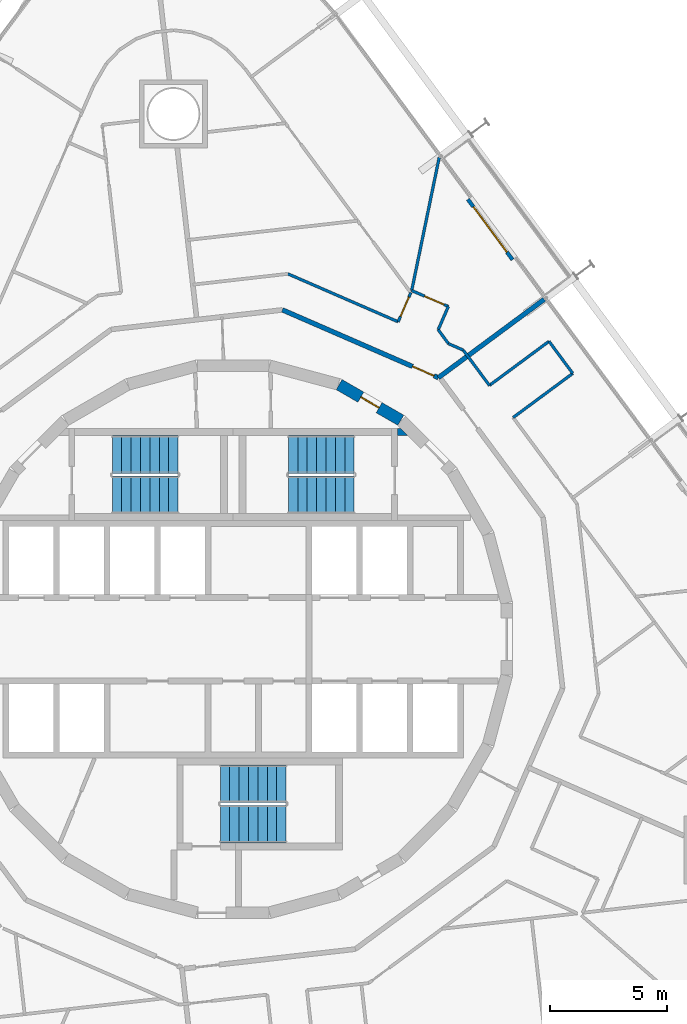
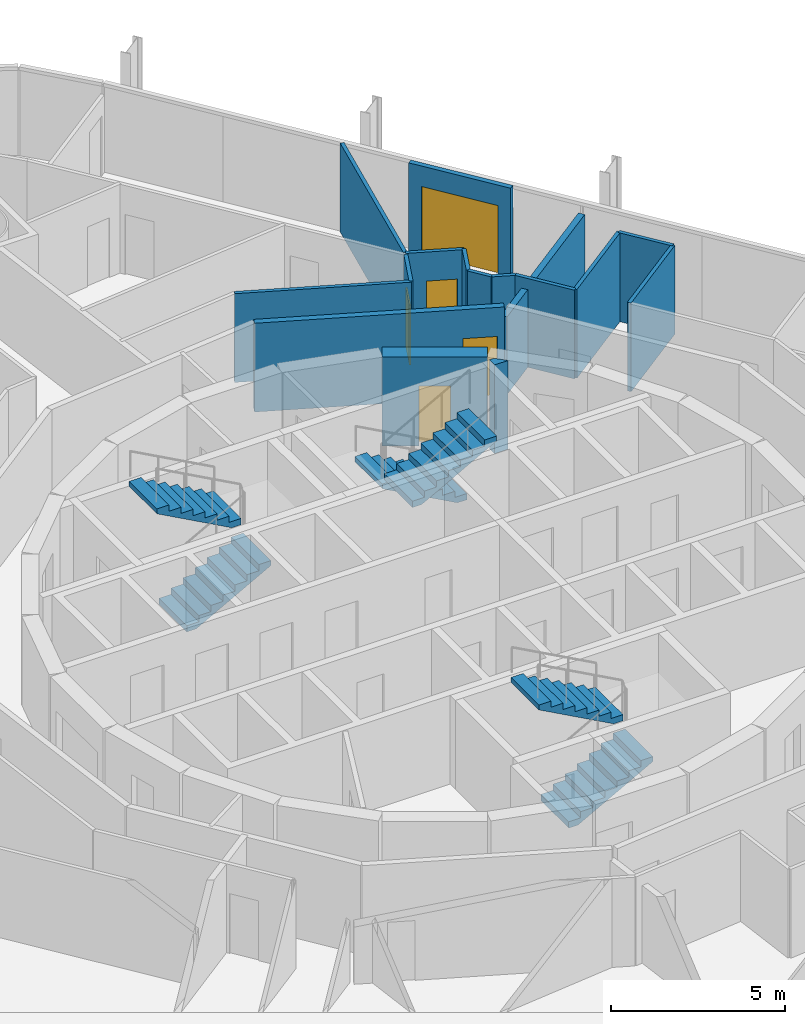
# One storey, part 22 of 23: 16 walls, 6 stair flights, 5 doors, 5 openings, 3 elements without a shape of their own.
"""IFC4 building model written with IfcOpenShell, lengths in metres."""

from ifc_helpers import new_model, si_unit, direction, frame, frame_2d, origin, place, context, subcontext, project, spatial, polyline, rectangle, outline, extrude, material, layer, layer_set, type_object, element, fill, aggregate, save


model = new_model("IFC4")

# Units and contexts
model_context = context("Model", 3, precision=1e-05, world=origin(), true_north=direction((0.0, 1.0)))
body_context = subcontext(model_context, "Body", "Model", "MODEL_VIEW")
ifc_project = project(units=[si_unit("LENGTHUNIT", "METRE"), si_unit("AREAUNIT", "SQUARE_METRE"), si_unit("VOLUMEUNIT", "CUBIC_METRE"), si_unit("PLANEANGLEUNIT", "RADIAN"), si_unit("MASSUNIT", "GRAM", prefix="KILO")], contexts=[model_context])

# Site, building, storey
site_placement = place(None, origin())
site = spatial("IfcSite", under=ifc_project, at=site_placement, CompositionType="ELEMENT")
building_placement = place(site_placement, origin())
building = spatial("IfcBuilding", under=site, at=building_placement, Name="Spindle Arch Residences", CompositionType="ELEMENT")
storey_placement = place(building_placement, frame((0.0, 0.0, 83.699951171875)))
storey = spatial("IfcBuildingStorey", under=building, at=storey_placement, Name="L19", CompositionType="ELEMENT", Elevation=83.699951171875)

# Wall, opening, door
ifc_material_1 = material(Name="Concrete C50/60", Category="concrete")
ifc_layer_1 = layer(ifc_material_1, 0.5)
ifc_layer_set_1 = layer_set([ifc_layer_1], Name="Core outline wall 500")
wall_type_1 = type_object("IfcWallType", Name="Core outline wall 500", PredefinedType="SHEAR", material=ifc_layer_set_1)
wall_1_placement = place(storey_placement, frame((7.13671875, 9.32861328125, 0.0), z_axis=(0.0, 0.0, 1.0), x_axis=(-0.865975092491, 0.500087131594, 0.0)))
wall_1 = element("IfcWall", 1, at=wall_1_placement, inside=storey, type_object=wall_type_1, Name="Core outline wall 10", PredefinedType="SHEAR", context=body_context, shape_type="SweptSolid", body=[
    extrude(rectangle(XDim=3.03271484375, YDim=0.5, at=frame_2d((1.516357421875, 0.0))), origin(), (0.0, 0.0, 1.0), 3.1201171875),
])
opening_1_placement = place(wall_1_placement, frame((1.06640625, 0.0, 0.0)))
opening_1 = element("IfcOpeningElement", 2, at=opening_1_placement, cuts=wall_1, Name="Opening R2A0-WD11", PredefinedType="OPENING", context=body_context, shape_type="SweptSolid", body=[
    extrude(rectangle(XDim=0.89990234375, YDim=2.10009765625, at=frame_2d((0.449951171875, 1.050048828125))), frame((0.0, 0.260009765625, 0.0), z_axis=(0.0, -1.0, 0.0), x_axis=(1.0, 0.0, 0.0)), (0.0, 0.0, 1.0), 0.52001953125),
])
ifc_material_2 = material(Name="Steel, fire-resisting door", Category="steel")
door_type_1 = type_object("IfcDoorType", Name="Service room door 900x2100", OperationType="SINGLE_SWING_LEFT", PredefinedType="DOOR", material=ifc_material_2)
door_1_placement = place(opening_1_placement, origin())
door_1 = element("IfcDoor", 3, at=door_1_placement, inside=storey, type_object=door_type_1, Name="Service room door R2A0-WD11", OperationType="SINGLE_SWING_RIGHT", OverallHeight=2.10009765625, OverallWidth=0.89990234375, PredefinedType="DOOR", context=body_context, shape_type="SweptSolid", body=[
    extrude(rectangle(XDim=0.89990234375, YDim=2.10009765625, at=frame_2d((0.449951171875, 1.050048828125))), frame((0.0, 0.02490234375, 0.0), z_axis=(0.0, -1.0, 0.0), x_axis=(1.0, 0.0, 0.0)), (0.0, 0.0, 1.0), 0.050048828125),
])
fill(opening_1, door_1)

ifc_material_3 = material(Name="Calcium silicate block, plastered")
ifc_layer_2 = layer(ifc_material_3, 0.199951171875)
ifc_layer_set_2 = layer_set([ifc_layer_2], Name="Corridor wall 200")
wall_type_2 = type_object("IfcWallType", Name="Corridor wall 200", PredefinedType="STANDARD", material=ifc_layer_set_2)
wall_2_placement = place(storey_placement, frame((8.735595703125, 11.140625, 0.0), z_axis=(0.0, 0.0, 1.0), x_axis=(-0.917051290697, 0.398769269416, 0.0)))
wall_2 = element("IfcWall", 4, at=wall_2_placement, inside=storey, type_object=wall_type_2, Name="Corridor wall R2A0-W007", PredefinedType="STANDARD", context=body_context, shape_type="SweptSolid", body=[
    extrude(rectangle(XDim=7.23974609375, YDim=0.199951171875, at=frame_2d((3.619873046875, 0.0))), origin(), (0.0, 0.0, 1.0), 3.1201171875),
])
opening_2_placement = place(wall_2_placement, frame((0.199951171875, 0.0, 0.0)))
opening_2 = element("IfcOpeningElement", 5, at=opening_2_placement, cuts=wall_2, Name="Opening R2A0-FD02", PredefinedType="OPENING", context=body_context, shape_type="SweptSolid", body=[
    extrude(rectangle(XDim=1.0, YDim=2.10009765625, at=frame_2d((0.5, 1.050048828125))), frame((0.0, 0.10986328125, 0.0), z_axis=(0.0, -1.0, 0.0), x_axis=(1.0, 0.0, 0.0)), (0.0, 0.0, 1.0), 0.219970703125),
])
ifc_material_4 = material(Name="Timber, fire-resisting door set", Category="wood")
door_type_2 = type_object("IfcDoorType", Name="Flat entrance door 1000x2100", OperationType="NOTDEFINED", PredefinedType="DOOR", material=ifc_material_4)
door_2_placement = place(opening_2_placement, origin())
door_2 = element("IfcDoor", 6, at=door_2_placement, inside=storey, type_object=door_type_2, Name="Flat entrance door R2A0-FD02", OperationType="SINGLE_SWING_RIGHT", OverallHeight=2.10009765625, OverallWidth=1.0, PredefinedType="DOOR", context=body_context, shape_type="SweptSolid", body=[
    extrude(rectangle(XDim=1.0, YDim=2.10009765625, at=frame_2d((0.5, 1.050048828125))), frame((0.0, 0.02490234375, 0.0), z_axis=(0.0, -1.0, 0.0), x_axis=(1.0, 0.0, 0.0)), (0.0, 0.0, 1.0), 0.050048828125),
])
fill(opening_2, door_2)

# Walls
ifc_material_5 = material(Name="Plasterboard on steel studs", Category="steel")
ifc_layer_3 = layer(ifc_material_5, 0.1201171875)
ifc_layer_set_3 = layer_set([ifc_layer_3], Name="Flat partition 120")
wall_type_3 = type_object("IfcWallType", Name="Flat partition 120", PredefinedType="PARTITIONING", material=ifc_layer_set_3)
wall_3_placement = place(storey_placement, frame((11.9208984375, 9.44384765625, 0.0), z_axis=(0.0, 0.0, 1.0), x_axis=(0.803843378098, 0.594841006898, 0.0)))
element("IfcWall", 7, at=wall_3_placement, inside=storey, type_object=wall_type_3, Name="Flat partition R2A0-W030", PredefinedType="PARTITIONING", context=body_context, shape_type="SweptSolid", body=[
    extrude(rectangle(XDim=3.157470703125, YDim=0.1201171875, at=frame_2d((1.57861328125, 0.0))), origin(), (0.0, 0.0, 1.0), 3.1201171875),
])
wall_4_placement = place(storey_placement, frame((14.458984375, 11.322021484375, 0.0), z_axis=(0.0, 0.0, 1.0), x_axis=(-0.594863421241, 0.803826791087, 0.0)))
element("IfcWall", 8, at=wall_4_placement, inside=storey, type_object=wall_type_3, Name="Flat partition R2A0-W031", PredefinedType="PARTITIONING", context=body_context, shape_type="SweptSolid", body=[
    extrude(rectangle(XDim=1.699951171875, YDim=0.1201171875, at=frame_2d((0.85009765625, 0.0))), origin(), (0.0, 0.0, 1.0), 3.1201171875),
])
wall_5_placement = place(storey_placement, frame((13.44775390625, 12.6884765625, 0.0), z_axis=(0.0, 0.0, 1.0), x_axis=(-0.803843378098, -0.594841006898, 0.0)))
element("IfcWall", 9, at=wall_5_placement, inside=storey, type_object=wall_type_3, Name="Flat partition R2A0-W032", PredefinedType="PARTITIONING", context=body_context, shape_type="SweptSolid", body=[
    extrude(rectangle(XDim=3.157470703125, YDim=0.1201171875, at=frame_2d((1.57861328125, 0.0))), origin(), (0.0, 0.0, 1.0), 3.1201171875),
])
wall_6_placement = place(storey_placement, frame((10.90966796875, 10.810302734375, 0.0), z_axis=(0.0, 0.0, 1.0), x_axis=(-0.59489693125, 0.803801991282, 0.0)))
element("IfcWall", 10, at=wall_6_placement, inside=storey, type_object=wall_type_3, Name="Flat partition R2A0-W033", PredefinedType="PARTITIONING", context=body_context, shape_type="SweptSolid", body=[
    extrude(rectangle(XDim=1.872314453125, YDim=0.1201171875, at=frame_2d((0.93603515625, 0.0))), origin(), (0.0, 0.0, 1.0), 3.1201171875),
])
wall_7_placement = place(storey_placement, frame((9.7958984375, 12.315185546875, 0.0), z_axis=(0.0, 0.0, 1.0), x_axis=(-0.916973672273, 0.398947721335, 0.0)))
element("IfcWall", 11, at=wall_7_placement, inside=storey, type_object=wall_type_3, Name="Flat partition R2A0-W047", PredefinedType="PARTITIONING", context=body_context, shape_type="SweptSolid", body=[
    extrude(rectangle(XDim=0.684814453125, YDim=0.1201171875, at=frame_2d((0.34228515625, 0.0))), origin(), (0.0, 0.0, 1.0), 3.1201171875),
])
wall_8_placement = place(storey_placement, frame((9.16796875, 12.58837890625, 0.0), z_axis=(0.0, 0.0, 1.0), x_axis=(-0.595069416139, 0.803674305908, 0.0)))
element("IfcWall", 12, at=wall_8_placement, inside=storey, type_object=wall_type_3, Name="Flat partition R2A0-W048", PredefinedType="PARTITIONING", context=body_context, shape_type="SweptSolid", body=[
    extrude(rectangle(XDim=0.738525390625, YDim=0.1201171875, at=frame_2d((0.369140625, 0.0))), origin(), (0.0, 0.0, 1.0), 3.1201171875),
])
wall_9_placement = place(storey_placement, frame((8.728515625, 13.181884765625, 0.0), z_axis=(0.0, 0.0, 1.0), x_axis=(0.398792168027, 0.917041333158, 0.0)))
element("IfcWall", 13, at=wall_9_placement, inside=storey, type_object=wall_type_3, Name="Flat partition R2A0-W049", PredefinedType="PARTITIONING", context=body_context, shape_type="SweptSolid", body=[
    extrude(rectangle(XDim=1.0810546875, YDim=0.1201171875, at=frame_2d((0.54052734375, 0.0))), origin(), (0.0, 0.0, 1.0), 3.1201171875),
])

# Wall, opening, door
wall_10_placement = place(storey_placement, frame((9.15966796875, 14.17333984375, 0.0), z_axis=(0.0, 0.0, 1.0), x_axis=(-0.917044941137, 0.398783871208, 0.0)))
wall_10 = element("IfcWall", 14, at=wall_10_placement, inside=storey, type_object=wall_type_3, Name="Flat partition R2A0-W050", PredefinedType="PARTITIONING", context=body_context, shape_type="SweptSolid", body=[
    extrude(rectangle(XDim=1.7001953125, YDim=0.1201171875, at=frame_2d((0.85009765625, 0.0))), origin(), (0.0, 0.0, 1.0), 3.1201171875),
])
opening_3_placement = place(wall_10_placement, frame((0.199951171875, 0.0, 0.0)))
opening_3 = element("IfcOpeningElement", 15, at=opening_3_placement, cuts=wall_10, Name="Opening R2A0-ID06", PredefinedType="OPENING", context=body_context, shape_type="SweptSolid", body=[
    extrude(rectangle(XDim=0.89990234375, YDim=2.10009765625, at=frame_2d((0.449951171875, 1.050048828125))), frame((0.0, 0.070068359375, 0.0), z_axis=(0.0, -1.0, 0.0), x_axis=(1.0, 0.0, 0.0)), (0.0, 0.0, 1.0), 0.14013671875),
])
ifc_material_6 = material(Name="Timber door set", Category="wood")
door_type_3 = type_object("IfcDoorType", Name="Room door 900x2100", OperationType="NOTDEFINED", PredefinedType="DOOR", material=ifc_material_6)
door_3_placement = place(opening_3_placement, origin())
door_3 = element("IfcDoor", 16, at=door_3_placement, inside=storey, type_object=door_type_3, Name="Room door R2A0-ID06", OperationType="SINGLE_SWING_RIGHT", OverallHeight=2.10009765625, OverallWidth=0.89990234375, PredefinedType="DOOR", context=body_context, shape_type="SweptSolid", body=[
    extrude(rectangle(XDim=0.89990234375, YDim=2.10009765625, at=frame_2d((0.449951171875, 1.050048828125))), frame((0.0, 0.02490234375, 0.0), z_axis=(0.0, -1.0, 0.0), x_axis=(1.0, 0.0, 0.0)), (0.0, 0.0, 1.0), 0.050048828125),
])
fill(opening_3, door_3)

wall_11_placement = place(storey_placement, frame((7.56103515625, 14.760009765625, 0.0), z_axis=(0.0, 0.0, 1.0), x_axis=(-0.398712893488, -0.917075803064, 0.0)))
wall_11 = element("IfcWall", 17, at=wall_11_placement, inside=storey, type_object=wall_type_3, Name="Flat partition R2A0-W051", PredefinedType="PARTITIONING", context=body_context, shape_type="SweptSolid", body=[
    extrude(rectangle(XDim=1.350830078125, YDim=0.1201171875, at=frame_2d((0.67529296875, 0.0))), origin(), (0.0, 0.0, 1.0), 3.1201171875),
])
opening_4_placement = place(wall_11_placement, frame((0.199951171875, 0.0, 0.0)))
opening_4 = element("IfcOpeningElement", 18, at=opening_4_placement, cuts=wall_11, Name="Opening R2A0-ID07", PredefinedType="OPENING", context=body_context, shape_type="SweptSolid", body=[
    extrude(rectangle(XDim=0.89990234375, YDim=2.10009765625, at=frame_2d((0.449951171875, 1.050048828125))), frame((0.0, 0.070068359375, 0.0), z_axis=(0.0, -1.0, 0.0), x_axis=(1.0, 0.0, 0.0)), (0.0, 0.0, 1.0), 0.14013671875),
])
door_4_placement = place(opening_4_placement, origin())
door_4 = element("IfcDoor", 19, at=door_4_placement, inside=storey, type_object=door_type_3, Name="Room door R2A0-ID07", OperationType="SINGLE_SWING_LEFT", OverallHeight=2.10009765625, OverallWidth=0.89990234375, PredefinedType="DOOR", context=body_context, shape_type="SweptSolid", body=[
    extrude(rectangle(XDim=0.89990234375, YDim=2.10009765625, at=frame_2d((0.449951171875, 1.050048828125))), frame((0.0, 0.02490234375, 0.0), z_axis=(0.0, -1.0, 0.0), x_axis=(1.0, 0.0, 0.0)), (0.0, 0.0, 1.0), 0.050048828125),
])
fill(opening_4, door_4)

# Walls
wall_12_placement = place(storey_placement, frame((7.0224609375, 13.521240234375, 0.0), z_axis=(0.0, 0.0, 1.0), x_axis=(-0.91706854044, 0.398729597767, 0.0)))
element("IfcWall", 20, at=wall_12_placement, inside=storey, type_object=wall_type_3, Name="Flat partition R2A0-W052", PredefinedType="PARTITIONING", context=body_context, shape_type="SweptSolid", body=[
    extrude(rectangle(XDim=5.121337890625, YDim=0.1201171875, at=frame_2d((2.560546875, 0.0))), origin(), (0.0, 0.0, 1.0), 3.1201171875),
])
wall_13_placement = place(storey_placement, frame((8.771728515625, 20.52099609375, 0.0), z_axis=(0.0, 0.0, 1.0), x_axis=(-0.202291839423, -0.979325283909, 0.0)))
element("IfcWall", 21, at=wall_13_placement, inside=storey, type_object=wall_type_3, Name="Flat partition R2A0-W054", PredefinedType="PARTITIONING", context=body_context, shape_type="SweptSolid", body=[
    extrude(rectangle(XDim=5.789306640625, YDim=0.1201171875, at=frame_2d((2.89453125, 0.0))), origin(), (0.0, 0.0, 1.0), 3.1201171875),
])
ifc_material_7 = material(Name="Calcium silicate block, plastered")
ifc_layer_4 = layer(ifc_material_7, 0.199951171875)
ifc_layer_set_4 = layer_set([ifc_layer_4], Name="Flat party wall 200 under beam 2730")
wall_type_4 = type_object("IfcWallType", Name="Flat party wall 200 under beam 2730", PredefinedType="STANDARD", material=ifc_layer_set_4)
wall_14_placement = place(storey_placement, frame((13.244140625, 14.476806640625, 0.0), z_axis=(0.0, 0.0, 1.0), x_axis=(-0.803853971109, -0.594826691677, 0.0)))
element("IfcWall", 22, at=wall_14_placement, inside=storey, type_object=wall_type_4, Name="Flat party wall R2A0-W016", PredefinedType="STANDARD", context=body_context, shape_type="SweptSolid", body=[
    extrude(rectangle(XDim=5.608642578125, YDim=0.199951171875, at=frame_2d((2.80419921875, 0.0))), origin(), (0.0, 0.0, 1.0), 2.72998046875),
])

# Wall, opening, door
ifc_material_8 = material(Name="Non-combustible mineral wool insulated aluminium faced external wall (K0)", Category="aluminium")
ifc_layer_5 = layer(ifc_material_8, 0.159912109375)
ifc_layer_set_5 = layer_set([ifc_layer_5], Name="Insulated external wall panel 160")
wall_type_5 = type_object("IfcWallType", Name="Insulated external wall panel 160", PredefinedType="STANDARD", material=ifc_layer_set_5)
wall_15_placement = place(storey_placement, frame((11.895263671875, 16.1650390625, 0.0), z_axis=(0.0, 0.0, 1.0), x_axis=(-0.594774973163, 0.803892238611, 0.0)))
wall_15 = element("IfcWall", 23, at=wall_15_placement, inside=storey, type_object=wall_type_5, Name="External wall L19 bay 9", PredefinedType="STANDARD", context=body_context, shape_type="SweptSolid", body=[
    extrude(rectangle(XDim=3.199951171875, YDim=0.159912109375, at=frame_2d((1.60009765625, 0.0))), origin(), (0.0, 0.0, 1.0), 3.1201171875),
])
opening_5_placement = place(wall_15_placement, frame((0.39990234375, 0.0, 0.0)))
opening_5 = element("IfcOpeningElement", 24, at=opening_5_placement, cuts=wall_15, Name="Opening BD09", PredefinedType="OPENING", context=body_context, shape_type="SweptSolid", body=[
    extrude(rectangle(XDim=2.39990234375, YDim=2.39990234375, at=frame_2d((1.199951171875, 1.199951171875))), frame((0.0, 0.08984375, 0.0), z_axis=(0.0, -1.0, 0.0), x_axis=(1.0, 0.0, 0.0)), (0.0, 0.0, 1.0), 0.179931640625),
])
ifc_material_9 = material(Name="Bronze aluminium frame, tinted double glazing", Category="aluminium")
door_type_4 = type_object("IfcDoorType", Name="Sliding glazed balcony door 2400x2400", OperationType="DOUBLE_DOOR_SLIDING", PredefinedType="DOOR", material=ifc_material_9)
door_5_placement = place(opening_5_placement, origin())
door_5 = element("IfcDoor", 25, at=door_5_placement, inside=storey, type_object=door_type_4, Name="Balcony door BD09", OperationType="DOUBLE_DOOR_SLIDING", OverallHeight=2.39990234375, OverallWidth=2.39990234375, PredefinedType="DOOR", context=body_context, shape_type="SweptSolid", body=[
    extrude(rectangle(XDim=2.39990234375, YDim=2.39990234375, at=frame_2d((1.199951171875, 1.199951171875))), frame((0.0, 0.02490234375, 0.0), z_axis=(0.0, -1.0, 0.0), x_axis=(1.0, 0.0, 0.0)), (0.0, 0.0, 1.0), 0.050048828125),
])
fill(opening_5, door_5)

# Wall
ifc_material_10 = material(Name="Concrete C40/50", Category="concrete")
wall_type_6 = type_object("IfcWallType", Name="Stair airlock wall profile", PredefinedType="SHEAR", material=ifc_material_10)
wall_16_placement = place(storey_placement, origin())
element("IfcWall", 26, at=wall_16_placement, inside=storey, type_object=wall_type_6, Name="Stair ST-1 airlock wall N", PredefinedType="SHEAR", context=body_context, shape_type="SweptSolid", body=[
    extrude(outline(polyline([(7.4482421875, 8.669921875), (7.0, 8.669921875), (7.0, 8.969970703125), (7.148193359375, 8.969970703125), (7.4482421875, 8.669921875)])), origin(), (0.0, 0.0, 1.0), 3.1201171875),
])

# Stair, stair flights
ifc_material_11 = material(Name="Concrete C50/60", Category="concrete")
stair_type = type_object("IfcStairType", Name="Exit stair 16 risers", PredefinedType="HALF_TURN_STAIR", material=ifc_material_11)
stair_1_placement = place(storey_placement, origin())
stair_1 = element("IfcStair", 27, at=stair_1_placement, inside=storey, type_object=stair_type, Name="L19 Exit stair ST1", PredefinedType="HALF_TURN_STAIR")
ifc_material_12 = material(Name="Concrete C50/60", Category="concrete")
stair_flight_type = type_object("IfcStairFlightType", Name="Exit stair flight", PredefinedType="STRAIGHT", material=ifc_material_12)
stair_flight_1_placement = place(storey_placement, frame((5.14990234375, 7.8701171875, 0.0), z_axis=(0.0, 0.0, 1.0), x_axis=(-1.0, 0.0, 0.0)))
stair_flight_1 = element("IfcStairFlight", 28, at=stair_flight_1_placement, type_object=stair_flight_type, Name="ST1 flight 1", NumberOfRisers=8, NumberOfTreads=7, PredefinedType="STRAIGHT", RiserHeight=0.21875, TreadLength=0.4, context=body_context, shape_type="SweptSolid", body=[
    extrude(outline(polyline([(0.0, 0.0), (0.0, 0.21875), (0.39990234375, 0.21875), (0.39990234375, 0.4375), (0.800048828125, 0.4375), (0.800048828125, 0.65625), (1.199951171875, 0.65625), (1.199951171875, 0.875), (1.60009765625, 0.875), (1.60009765625, 1.09375), (2.0, 1.09375), (2.0, 1.3125), (2.39990234375, 1.3125), (2.39990234375, 1.53125), (2.800048828125, 1.53125), (2.800048828125, 1.75), (2.800048828125, 1.3603515625), (0.3125, 0.0), (0.0, 0.0)])), frame((0.0, 0.800048828125, 0.0), z_axis=(0.0, -1.0, 0.0), x_axis=(1.0, 0.0, 0.0)), (0.0, 0.0, 1.0), 1.60009765625),
])
stair_flight_2_placement = place(storey_placement, frame((2.35009765625, 6.14990234375, 1.75), z_axis=(0.0, 0.0, 1.0), x_axis=(1.0, 0.0, 0.0)))
stair_flight_2 = element("IfcStairFlight", 29, at=stair_flight_2_placement, type_object=stair_flight_type, Name="ST1 flight 2", NumberOfRisers=8, NumberOfTreads=7, PredefinedType="STRAIGHT", RiserHeight=0.21875, TreadLength=0.4, context=body_context, shape_type="SweptSolid", body=[
    extrude(outline(polyline([(0.0, 0.0), (0.0, 0.21875), (0.39990234375, 0.21875), (0.39990234375, 0.4375), (0.800048828125, 0.4375), (0.800048828125, 0.65625), (1.199951171875, 0.65625), (1.199951171875, 0.875), (1.60009765625, 0.875), (1.60009765625, 1.09375), (2.0, 1.09375), (2.0, 1.3125), (2.39990234375, 1.3125), (2.39990234375, 1.53125), (2.800048828125, 1.53125), (2.800048828125, 1.75), (2.800048828125, 1.3603515625), (0.3125, 0.0), (0.0, 0.0)])), frame((0.0, 0.800048828125, 0.0), z_axis=(0.0, -1.0, 0.0), x_axis=(1.0, 0.0, 0.0)), (0.0, 0.0, 1.0), 1.60009765625),
])
aggregate(stair_1, [stair_flight_1, stair_flight_2])

stair_2_placement = place(storey_placement, origin())
stair_2 = element("IfcStair", 30, at=stair_2_placement, inside=storey, type_object=stair_type, Name="L19 Exit stair ST2", PredefinedType="HALF_TURN_STAIR")
stair_flight_3_placement = place(storey_placement, frame((-5.14990234375, 6.14990234375, 0.0), z_axis=(0.0, 0.0, 1.0), x_axis=(1.0, 0.0, 0.0)))
stair_flight_3 = element("IfcStairFlight", 31, at=stair_flight_3_placement, type_object=stair_flight_type, Name="ST2 flight 1", NumberOfRisers=8, NumberOfTreads=7, PredefinedType="STRAIGHT", RiserHeight=0.21875, TreadLength=0.4, context=body_context, shape_type="SweptSolid", body=[
    extrude(outline(polyline([(0.0, 0.0), (0.0, 0.21875), (0.39990234375, 0.21875), (0.39990234375, 0.4375), (0.800048828125, 0.4375), (0.800048828125, 0.65625), (1.199951171875, 0.65625), (1.199951171875, 0.875), (1.60009765625, 0.875), (1.60009765625, 1.09375), (2.0, 1.09375), (2.0, 1.3125), (2.39990234375, 1.3125), (2.39990234375, 1.53125), (2.800048828125, 1.53125), (2.800048828125, 1.75), (2.800048828125, 1.3603515625), (0.3125, 0.0), (0.0, 0.0)])), frame((0.0, 0.800048828125, 0.0), z_axis=(0.0, -1.0, 0.0), x_axis=(1.0, 0.0, 0.0)), (0.0, 0.0, 1.0), 1.60009765625),
])
stair_flight_4_placement = place(storey_placement, frame((-2.35009765625, 7.8701171875, 1.75), z_axis=(0.0, 0.0, 1.0), x_axis=(-1.0, 0.0, 0.0)))
stair_flight_4 = element("IfcStairFlight", 32, at=stair_flight_4_placement, type_object=stair_flight_type, Name="ST2 flight 2", NumberOfRisers=8, NumberOfTreads=7, PredefinedType="STRAIGHT", RiserHeight=0.21875, TreadLength=0.4, context=body_context, shape_type="SweptSolid", body=[
    extrude(outline(polyline([(0.0, 0.0), (0.0, 0.21875), (0.39990234375, 0.21875), (0.39990234375, 0.4375), (0.800048828125, 0.4375), (0.800048828125, 0.65625), (1.199951171875, 0.65625), (1.199951171875, 0.875), (1.60009765625, 0.875), (1.60009765625, 1.09375), (2.0, 1.09375), (2.0, 1.3125), (2.39990234375, 1.3125), (2.39990234375, 1.53125), (2.800048828125, 1.53125), (2.800048828125, 1.75), (2.800048828125, 1.3603515625), (0.3125, 0.0), (0.0, 0.0)])), frame((0.0, 0.800048828125, 0.0), z_axis=(0.0, -1.0, 0.0), x_axis=(1.0, 0.0, 0.0)), (0.0, 0.0, 1.0), 1.60009765625),
])
aggregate(stair_2, [stair_flight_3, stair_flight_4])

stair_3_placement = place(storey_placement, origin())
stair_3 = element("IfcStair", 33, at=stair_3_placement, inside=storey, type_object=stair_type, Name="L19 Exit stair ST3", PredefinedType="HALF_TURN_STAIR")
stair_flight_5_placement = place(storey_placement, frame((-0.550048828125, -7.8701171875, 0.0), z_axis=(0.0, 0.0, 1.0), x_axis=(1.0, 0.0, 0.0)))
stair_flight_5 = element("IfcStairFlight", 34, at=stair_flight_5_placement, type_object=stair_flight_type, Name="ST3 flight 1", NumberOfRisers=8, NumberOfTreads=7, PredefinedType="STRAIGHT", RiserHeight=0.21875, TreadLength=0.4, context=body_context, shape_type="SweptSolid", body=[
    extrude(outline(polyline([(0.0, 0.0), (0.0, 0.21875), (0.39990234375, 0.21875), (0.39990234375, 0.4375), (0.800048828125, 0.4375), (0.800048828125, 0.65625), (1.199951171875, 0.65625), (1.199951171875, 0.875), (1.60009765625, 0.875), (1.60009765625, 1.09375), (2.0, 1.09375), (2.0, 1.3125), (2.39990234375, 1.3125), (2.39990234375, 1.53125), (2.800048828125, 1.53125), (2.800048828125, 1.75), (2.800048828125, 1.3603515625), (0.3125, 0.0), (0.0, 0.0)])), frame((0.0, 0.800048828125, 0.0), z_axis=(0.0, -1.0, 0.0), x_axis=(1.0, 0.0, 0.0)), (0.0, 0.0, 1.0), 1.60009765625),
])
stair_flight_6_placement = place(storey_placement, frame((2.25, -6.14990234375, 1.75), z_axis=(0.0, 0.0, 1.0), x_axis=(-1.0, 0.0, 0.0)))
stair_flight_6 = element("IfcStairFlight", 35, at=stair_flight_6_placement, type_object=stair_flight_type, Name="ST3 flight 2", NumberOfRisers=8, NumberOfTreads=7, PredefinedType="STRAIGHT", RiserHeight=0.21875, TreadLength=0.4, context=body_context, shape_type="SweptSolid", body=[
    extrude(outline(polyline([(0.0, 0.0), (0.0, 0.21875), (0.39990234375, 0.21875), (0.39990234375, 0.4375), (0.800048828125, 0.4375), (0.800048828125, 0.65625), (1.199951171875, 0.65625), (1.199951171875, 0.875), (1.60009765625, 0.875), (1.60009765625, 1.09375), (2.0, 1.09375), (2.0, 1.3125), (2.39990234375, 1.3125), (2.39990234375, 1.53125), (2.800048828125, 1.53125), (2.800048828125, 1.75), (2.800048828125, 1.3603515625), (0.3125, 0.0), (0.0, 0.0)])), frame((0.0, 0.800048828125, 0.0), z_axis=(0.0, -1.0, 0.0), x_axis=(1.0, 0.0, 0.0)), (0.0, 0.0, 1.0), 1.60009765625),
])
aggregate(stair_3, [stair_flight_5, stair_flight_6])

save(model, "model.ifc")
